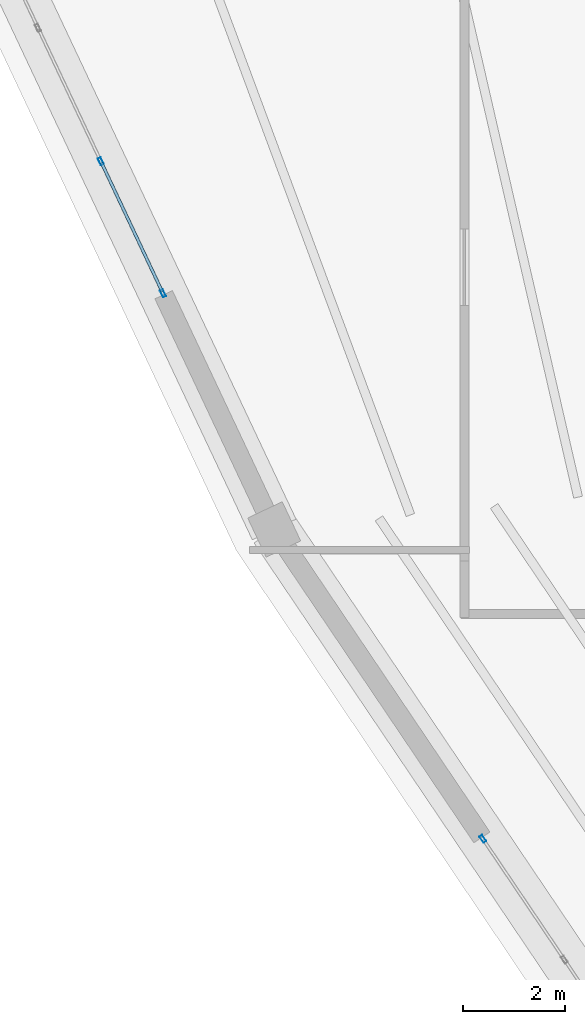
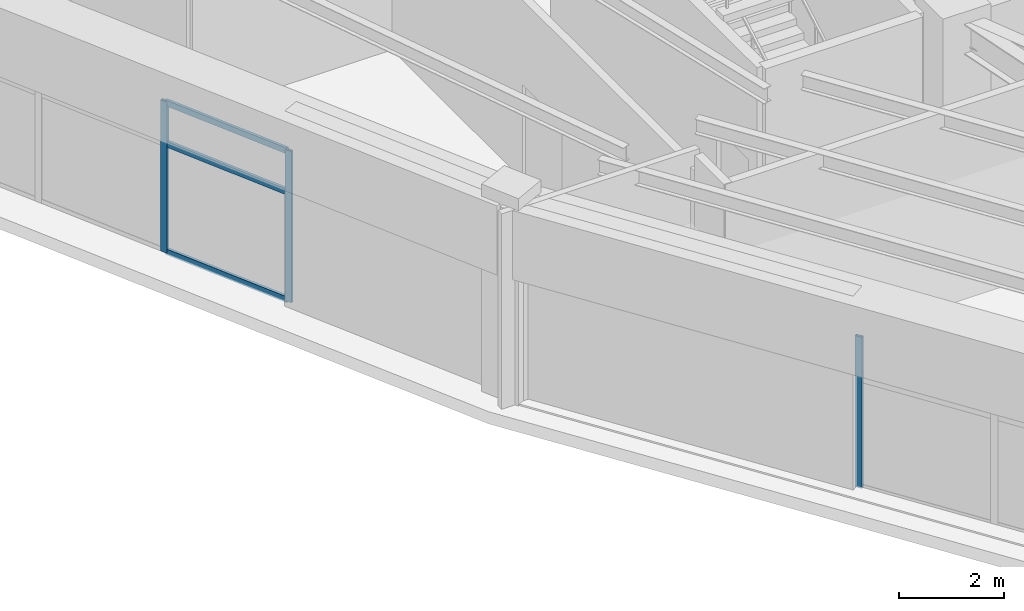
# One storey, part 8 of 40: 6 members, 2 elements without a shape of their own.
"""IFC4 building model written with IfcOpenShell, lengths in metres."""

from ifc_helpers import new_model, si_unit, direction, frame, origin, origin_2d, place, context, subcontext, project, spatial, hollow_rectangle, extrude, source, transform, mapped, material, layer, layer_set, material_profile, profile_set, type_object, element, aggregate, save


model = new_model("IFC4")

# Units and contexts
model_context = context("Model", 3, precision=1e-05, world=origin(), true_north=direction((0.0, 1.0)))
body_context = subcontext(model_context, "Body", "Model", "MODEL_VIEW")
ifc_project = project(units=[si_unit("LENGTHUNIT", "METRE"), si_unit("AREAUNIT", "SQUARE_METRE"), si_unit("VOLUMEUNIT", "CUBIC_METRE"), si_unit("PLANEANGLEUNIT", "RADIAN"), si_unit("MASSUNIT", "GRAM", prefix="KILO")], contexts=[model_context])

# Site, building, storey
site_placement = place(None, origin())
site = spatial("IfcSite", under=ifc_project, at=site_placement, CompositionType="ELEMENT")
building_placement = place(site_placement, origin())
building = spatial("IfcBuilding", under=site, at=building_placement, Name="Liaohun Quay Tower", CompositionType="ELEMENT")
storey_placement = place(building_placement, frame((0.0, 0.0, 351.0)))
storey = spatial("IfcBuildingStorey", under=building, at=storey_placement, Name="L91", CompositionType="ELEMENT", Elevation=351.0)

# Curtain wall, members
ifc_material_1 = material(Name="Observation gallery panoramic triple-glazed curtain wall")
ifc_layer = layer(ifc_material_1, 0.219970703125, Name="Observation gallery panoramic triple-glazed curtain wall")
ifc_layer_set = layer_set([ifc_layer], Name="Observation gallery panoramic triple-glazed curtain wall")
curtain_wall_type = type_object("IfcCurtainWallType", Name="CW-OBS-CRN", PredefinedType="NOTDEFINED", material=ifc_layer_set)
curtain_wall_1_placement = place(storey_placement, origin())
curtain_wall_1 = element("IfcCurtainWall", 1, at=curtain_wall_1_placement, inside=storey, type_object=curtain_wall_type, Name="L91 Panoramic Belvedere Curtain Wall 05", PredefinedType="NOTDEFINED")
ifc_material_2 = material(Name="Anodised aluminium 6063-T6", Category="aluminium")
ifc_material_profile_1 = material_profile(ifc_material_2, hollow_rectangle(XDim=0.06494140625, YDim=0.14990234375, WallThickness=0.00390625, at=origin_2d()), Name="RHS150x65x4")
ifc_profile_set_1 = profile_set([ifc_material_profile_1], Name="Anodised aluminium 6063-T6")
member_type_1 = type_object("IfcMemberType", Name="MEM-CWM-SKY", PredefinedType="MULLION", material=ifc_profile_set_1)
shared_shape_1 = source(origin(), body_context, "Body", "SweptSolid", [
    extrude(hollow_rectangle(XDim=0.06494140625, YDim=0.14990234375, WallThickness=0.00390625, at=origin_2d()), origin(), (0.0, 0.0, 1.0), 3.5),
])
member_1_placement = place(storey_placement, frame((37.29052734375, 52.64404296875, 0.0), z_axis=(0.0, 0.0, 1.0), x_axis=(0.904728821785, 0.425987979915, 0.0)))
member_1 = element("IfcMember", 2, at=member_1_placement, type_object=member_type_1, Name="CW6 mullion 4", PredefinedType="MULLION", context=body_context, shape_type="MappedRepresentation", body=[
    mapped(shared_shape_1, transform((0.0, 0.0, 0.0), x_axis=(1.0, 0.0, 0.0), y_axis=(0.0, 1.0, 0.0), z_axis=(0.0, 0.0, 1.0), scale=1.0)),
])
member_2_placement = place(storey_placement, frame((38.51220703125, 50.04931640625, 0.0), z_axis=(0.0, 0.0, 1.0), x_axis=(0.904728821785, 0.425987979915, 0.0)))
member_2 = element("IfcMember", 3, at=member_2_placement, type_object=member_type_1, Name="CW6 mullion 5", PredefinedType="MULLION", context=body_context, shape_type="MappedRepresentation", body=[
    mapped(shared_shape_1, transform((0.0, 0.0, 0.0), x_axis=(1.0, 0.0, 0.0), y_axis=(0.0, 1.0, 0.0), z_axis=(0.0, 0.0, 1.0), scale=1.0)),
])

# Curtain wall, member
curtain_wall_2_placement = place(storey_placement, origin())
curtain_wall_2 = element("IfcCurtainWall", 4, at=curtain_wall_2_placement, inside=storey, type_object=curtain_wall_type, Name="L91 Panoramic Belvedere Curtain Wall 06", PredefinedType="NOTDEFINED")
member_3_placement = place(storey_placement, frame((44.80126953125, 39.322998046875, 0.0), z_axis=(0.0, 0.0, 1.0), x_axis=(0.829027517821, 0.559207809937, 0.0)))
member_3 = element("IfcMember", 5, at=member_3_placement, type_object=member_type_1, Name="CW6 mullion 1", PredefinedType="MULLION", context=body_context, shape_type="MappedRepresentation", body=[
    mapped(shared_shape_1, transform((0.0, 0.0, 0.0), x_axis=(1.0, 0.0, 0.0), y_axis=(0.0, 1.0, 0.0), z_axis=(0.0, 0.0, 1.0), scale=1.0)),
])
aggregate(curtain_wall_2, [member_3])

# Member
ifc_material_profile_2 = material_profile(ifc_material_2, hollow_rectangle(XDim=0.06005859375, YDim=0.135009765625, WallThickness=0.00390625, at=origin_2d()), Name="RHS135x60x4")
ifc_profile_set_2 = profile_set([ifc_material_profile_2], Name="Anodised aluminium 6063-T6")
member_type_2 = type_object("IfcMemberType", Name="MEM-CWT-SKY", PredefinedType="USERDEFINED", material=ifc_profile_set_2)
shared_shape_2 = source(origin(), body_context, "Body", "SweptSolid", [
    extrude(hollow_rectangle(XDim=0.06005859375, YDim=0.135009765625, WallThickness=0.00390625, at=origin_2d()), origin(), (0.0, 0.0, 1.0), 2.802734375),
])
member_4_placement = place(storey_placement, frame((37.304443359375, 52.614501953125, 0.030029296875), z_axis=(0.425973224623, -0.904735769108, 0.0), x_axis=(0.904735769108, 0.425973224623, 0.0)))
member_4 = element("IfcMember", 6, at=member_4_placement, type_object=member_type_2, Name="CW6 transom 4.1", ObjectType="TRANSOM", PredefinedType="USERDEFINED", context=body_context, shape_type="MappedRepresentation", body=[
    mapped(shared_shape_2, transform((0.0, 0.0, 0.0), x_axis=(1.0, 0.0, 0.0), y_axis=(0.0, 1.0, 0.0), z_axis=(0.0, 0.0, 1.0), scale=1.0)),
])

member_5_placement = place(storey_placement, frame((37.304443359375, 52.614501953125, 2.52001953125), z_axis=(0.425973224623, -0.904735769108, 0.0), x_axis=(0.904735769108, 0.425973224623, 0.0)))
member_5 = element("IfcMember", 7, at=member_5_placement, type_object=member_type_2, Name="CW6 transom 4.2", ObjectType="TRANSOM", PredefinedType="USERDEFINED", context=body_context, shape_type="MappedRepresentation", body=[
    mapped(shared_shape_2, transform((0.0, 0.0, 0.0), x_axis=(1.0, 0.0, 0.0), y_axis=(0.0, 1.0, 0.0), z_axis=(0.0, 0.0, 1.0), scale=1.0)),
])

member_6_placement = place(storey_placement, frame((37.304443359375, 52.614501953125, 3.469970703125), z_axis=(0.425973224623, -0.904735769108, 0.0), x_axis=(0.904735769108, 0.425973224623, 0.0)))
member_6 = element("IfcMember", 8, at=member_6_placement, type_object=member_type_2, Name="CW6 transom 4.3", ObjectType="TRANSOM", PredefinedType="USERDEFINED", context=body_context, shape_type="MappedRepresentation", body=[
    mapped(shared_shape_2, transform((0.0, 0.0, 0.0), x_axis=(1.0, 0.0, 0.0), y_axis=(0.0, 1.0, 0.0), z_axis=(0.0, 0.0, 1.0), scale=1.0)),
])

aggregate(curtain_wall_1, [member_1, member_2, member_4, member_5, member_6])

save(model, "model.ifc")
